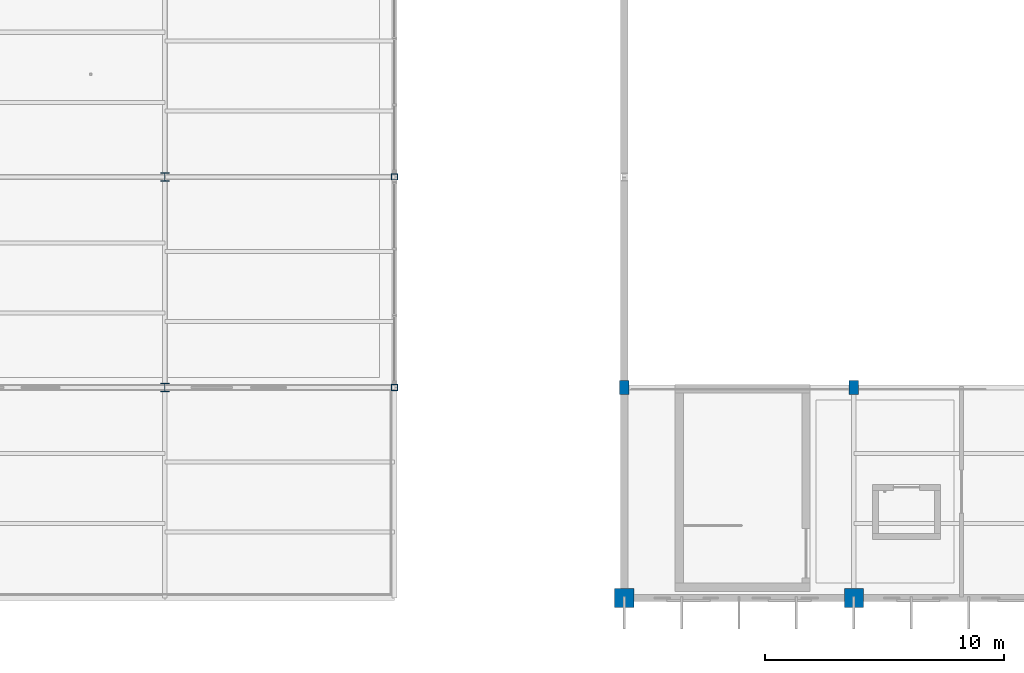
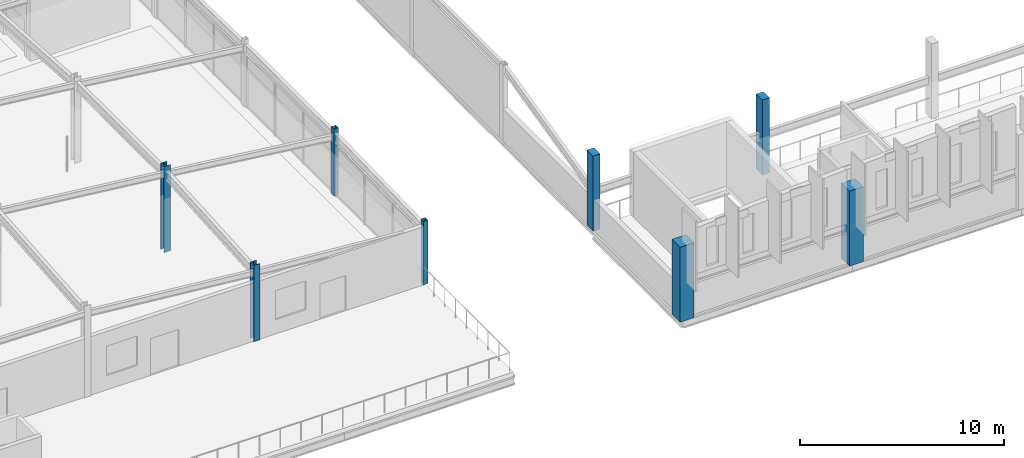
# One storey, part 2 of 114: 8 columns.
"""IFC4 building model written with IfcOpenShell, lengths in metres."""

from ifc_helpers import new_model, si_unit, direction, frame, origin, origin_2d, place, context, subcontext, project, spatial, rectangle, hollow_rectangle, i_section, extrude, material, material_profile, profile_set, type_object, element, save


model = new_model("IFC4")

# Units and contexts
model_context = context("Model", 3, precision=1e-05, world=origin(), true_north=direction((0.0, 1.0)))
body_context = subcontext(model_context, "Body", "Model", "MODEL_VIEW")
ifc_project = project(units=[si_unit("LENGTHUNIT", "METRE"), si_unit("AREAUNIT", "SQUARE_METRE"), si_unit("VOLUMEUNIT", "CUBIC_METRE"), si_unit("PLANEANGLEUNIT", "RADIAN"), si_unit("MASSUNIT", "GRAM", prefix="KILO")], contexts=[model_context])

# Site, building, storey
site_placement = place(None, origin())
site = spatial("IfcSite", under=ifc_project, at=site_placement, CompositionType="ELEMENT")
building_placement = place(site_placement, origin())
building = spatial("IfcBuilding", under=site, at=building_placement, Name="Chalmorin Arch Market", CompositionType="ELEMENT")
storey_placement = place(building_placement, frame((0.0, 0.0, 9.60009765625)))
storey = spatial("IfcBuildingStorey", under=building, at=storey_placement, Name="L02", CompositionType="ELEMENT", Elevation=9.60009765625)

# Columns
ifc_material_1 = material(Name="Concrete C50/60", Category="concrete")
ifc_material_profile_1 = material_profile(ifc_material_1, rectangle(XDim=0.800048828125, YDim=0.800048828125, at=origin_2d()), Name="RC800X800")
ifc_profile_set_1 = profile_set([ifc_material_profile_1], Name="Concrete C50/60")
column_type_1 = type_object("IfcColumnType", Name="ArchPierColumn-800x800", PredefinedType="COLUMN", material=ifc_profile_set_1)
for number, where, z_axis, x_axis, name in (
    (1, (48.0, 6.0, 0.0), (0.0, 0.0, 1.0), (1.0, 0.0, 0.0), "C-AP1-193"),
    (2, (57.60009765625, 6.0, 0.0), (0.0, 0.0, 1.0), (1.0, 0.0, 0.0), "C-AP1-260"),
):
    element("IfcColumn", number, at=place(storey_placement, frame(where, z_axis=z_axis, x_axis=x_axis)), inside=storey, type_object=column_type_1, Name=name, PredefinedType="COLUMN", context=body_context, shape_type="SweptSolid", body=[
        extrude(rectangle(XDim=0.800048828125, YDim=0.800048828125, at=origin_2d()), origin(), (0.0, 0.0, 1.0), 4.5),
    ])
ifc_material_2 = material(Name="Concrete C40/50", Category="concrete")
ifc_material_profile_2 = material_profile(ifc_material_2, rectangle(XDim=0.39990234375, YDim=0.60009765625, at=origin_2d()), Name="RC400X600")
ifc_profile_set_2 = profile_set([ifc_material_profile_2], Name="Concrete C40/50")
column_type_2 = type_object("IfcColumnType", Name="GalleryConcreteColumn-400x600", PredefinedType="COLUMN", material=ifc_profile_set_2)
for number, where, z_axis, x_axis, name in (
    (3, (48.0, 14.800048828125, 0.0), (0.0, 0.0, 1.0), (1.0, 0.0, 0.0), "C-RC5-198"),
    (4, (57.60009765625, 14.800048828125, 0.0), (0.0, 0.0, 1.0), (1.0, 0.0, 0.0), "C-RC5-265"),
):
    element("IfcColumn", number, at=place(storey_placement, frame(where, z_axis=z_axis, x_axis=x_axis)), inside=storey, type_object=column_type_2, Name=name, PredefinedType="COLUMN", context=body_context, shape_type="SweptSolid", body=[
        extrude(rectangle(XDim=0.39990234375, YDim=0.60009765625, at=origin_2d()), origin(), (0.0, 0.0, 1.0), 4.5),
    ])
ifc_material_3 = material(Name="Steel A500 Grade C", Category="steel")
ifc_material_profile_3 = material_profile(ifc_material_3, hollow_rectangle(XDim=0.25390625, YDim=0.25390625, WallThickness=0.01171875, at=origin_2d()), Name="HSS10X10X1/2")
ifc_profile_set_3 = profile_set([ifc_material_profile_3], Name="Steel A500 Grade C")
column_type_3 = type_object("IfcColumnType", Name="SteelTubeColumn-HSS10X10", PredefinedType="COLUMN", material=ifc_profile_set_3)
column_1_placement = place(storey_placement, frame((38.39990234375, 14.800048828125, 0.0), z_axis=(0.0, 0.0, 1.0), x_axis=(1.0, 0.0, 0.0)))
element("IfcColumn", 5, at=column_1_placement, inside=storey, type_object=column_type_3, Name="C-HS2-159", PredefinedType="COLUMN", context=body_context, shape_type="SweptSolid", body=[
    extrude(hollow_rectangle(XDim=0.25390625, YDim=0.25390625, WallThickness=0.01171875, at=origin_2d()), origin(), (0.0, 0.0, 1.0), 3.808837890625),
])
column_2_placement = place(storey_placement, frame((38.39990234375, 23.60009765625, 0.0), z_axis=(0.0, 0.0, 1.0), x_axis=(1.0, 0.0, 0.0)))
element("IfcColumn", 6, at=column_2_placement, inside=storey, type_object=column_type_3, Name="C-HS2-163", PredefinedType="COLUMN", context=body_context, shape_type="SweptSolid", body=[
    extrude(hollow_rectangle(XDim=0.25390625, YDim=0.25390625, WallThickness=0.01171875, at=origin_2d()), origin(), (0.0, 0.0, 1.0), 4.012939453125),
])
ifc_material_4 = material(Name="Steel A992 Grade 50", Category="steel")
ifc_material_profile_4 = material_profile(ifc_material_4, i_section(OverallWidth=0.35595703125, OverallDepth=0.35595703125, WebThickness=0.01123046875, FlangeThickness=0.01806640625, FilletRadius=0.02490234375, at=origin_2d()), Name="W14X90")
ifc_profile_set_4 = profile_set([ifc_material_profile_4], Name="Steel A992 Grade 50")
column_type_4 = type_object("IfcColumnType", Name="WideFlangeColumn-W14X90", PredefinedType="COLUMN", material=ifc_profile_set_4)
column_3_placement = place(storey_placement, frame((28.800048828125, 14.800048828125, 0.0), z_axis=(0.0, 0.0, 1.0), x_axis=(1.0, 0.0, 0.0)))
element("IfcColumn", 7, at=column_3_placement, inside=storey, type_object=column_type_4, Name="C-ST2-122", PredefinedType="COLUMN", context=body_context, shape_type="SweptSolid", body=[
    extrude(i_section(OverallWidth=0.35595703125, OverallDepth=0.35595703125, WebThickness=0.01123046875, FlangeThickness=0.01806640625, FilletRadius=0.02490234375, at=origin_2d()), origin(), (0.0, 0.0, 1.0), 4.572998046875),
])
column_4_placement = place(storey_placement, frame((28.800048828125, 23.60009765625, 0.0), z_axis=(0.0, 0.0, 1.0), x_axis=(1.0, 0.0, 0.0)))
element("IfcColumn", 8, at=column_4_placement, inside=storey, type_object=column_type_4, Name="C-ST2-126", PredefinedType="COLUMN", context=body_context, shape_type="SweptSolid", body=[
    extrude(i_section(OverallWidth=0.35595703125, OverallDepth=0.35595703125, WebThickness=0.01123046875, FlangeThickness=0.01806640625, FilletRadius=0.02490234375, at=origin_2d()), origin(), (0.0, 0.0, 1.0), 5.159912109375),
])

save(model, "model.ifc")
